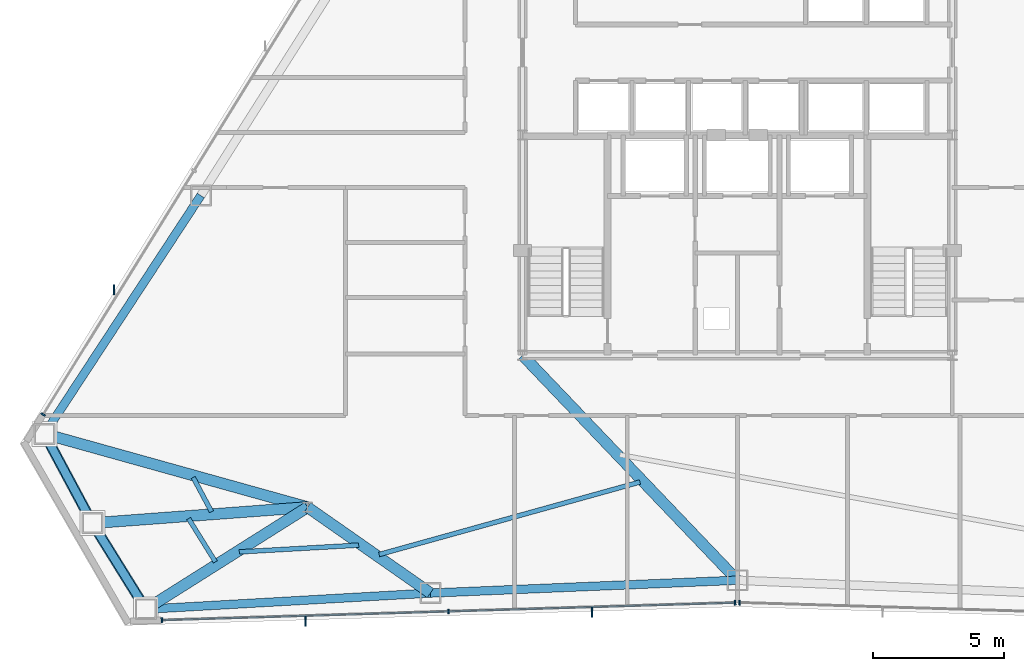
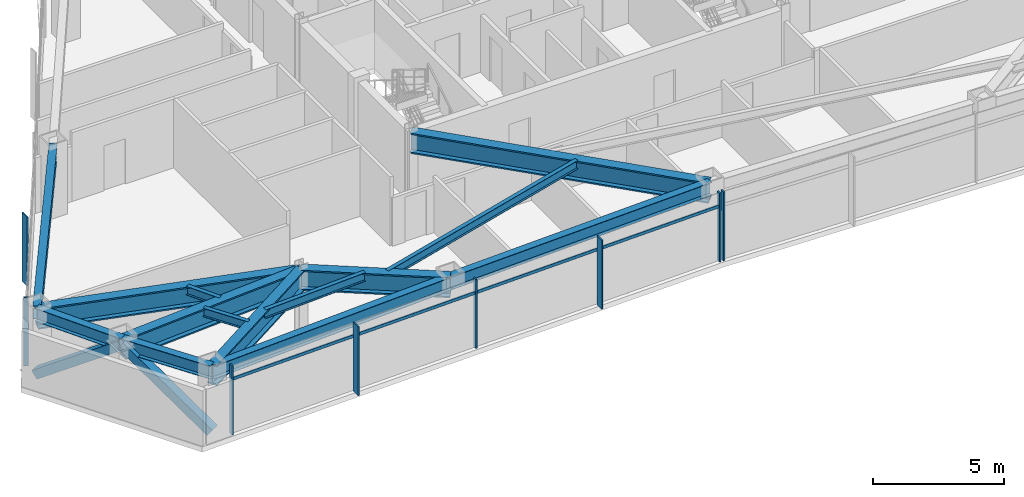
# One storey, part 3 of 13: 14 beams, 11 members, 3 elements without a shape of their own.
"""IFC4 building model written with IfcOpenShell, lengths in metres."""

from ifc_helpers import new_model, si_unit, direction, frame, origin, origin_2d, place, context, subcontext, project, spatial, rectangle, hollow_rectangle, i_section, extrude, source, transform, mapped, material, layer, layer_set, material_profile, profile_set, type_object, type_shapes, element, aggregate, save


model = new_model("IFC4")

# Units and contexts
model_context = context("Model", 3, precision=1e-05, world=origin(), true_north=direction((0.0, 1.0)))
body_context = subcontext(model_context, "Body", "Model", "MODEL_VIEW")
ifc_project = project(units=[si_unit("LENGTHUNIT", "METRE"), si_unit("AREAUNIT", "SQUARE_METRE"), si_unit("VOLUMEUNIT", "CUBIC_METRE"), si_unit("PLANEANGLEUNIT", "RADIAN"), si_unit("MASSUNIT", "GRAM", prefix="KILO")], contexts=[model_context])

# Site, building, storey
site_placement = place(None, origin())
site = spatial("IfcSite", under=ifc_project, at=site_placement, CompositionType="ELEMENT")
building_placement = place(site_placement, origin())
building = spatial("IfcBuilding", under=site, at=building_placement, Name="Varakhsha Concourse Tower", CompositionType="ELEMENT")
storey_placement = place(building_placement, frame((0.0, 0.0, 162.0)))
storey = spatial("IfcBuildingStorey", under=building, at=storey_placement, Name="L46", CompositionType="ELEMENT", Elevation=162.0)

# Beams
ifc_material_1 = material(Name="Structural Steel ASTM A992 Grade 50", Category="steel")
ifc_material_profile_1 = material_profile(ifc_material_1, i_section(OverallWidth=0.177978515625, OverallDepth=0.406982421875, WebThickness=0.008056640625, FlangeThickness=0.012939453125, at=origin_2d()), Name="W16X40")
ifc_profile_set_1 = profile_set([ifc_material_profile_1], Name="Structural Steel ASTM A992 Grade 50")
beam_type_1 = type_object("IfcBeamType", Name="BM-JST-W16X40", PredefinedType="JOIST", material=ifc_profile_set_1)
beam_1_placement = place(storey_placement, frame((19.23583984375, 11.73388671875, 3.006591796875), z_axis=(0.472427315469, -0.881369633921, 0.0), x_axis=(0.881369633921, 0.472427315469, 0.0)))
element("IfcBeam", 1, at=beam_1_placement, inside=storey, type_object=beam_type_1, Name="BM-TJST-L46-07", PredefinedType="JOIST", context=body_context, shape_type="SweptSolid", body=[
    extrude(i_section(OverallWidth=0.177978515625, OverallDepth=0.406982421875, WebThickness=0.008056640625, FlangeThickness=0.012939453125, at=origin_2d()), origin(), (0.0, 0.0, 1.0), 1.48046875),
])
beam_2_placement = place(storey_placement, frame((19.059814453125, 10.165283203125, 3.006591796875), z_axis=(0.527253458324, -0.849708062034, 0.0), x_axis=(0.849708062034, 0.527253458324, 0.0)))
element("IfcBeam", 2, at=beam_2_placement, inside=storey, type_object=beam_type_1, Name="BM-TJST-L46-08", PredefinedType="JOIST", context=body_context, shape_type="SweptSolid", body=[
    extrude(i_section(OverallWidth=0.177978515625, OverallDepth=0.406982421875, WebThickness=0.008056640625, FlangeThickness=0.012939453125, at=origin_2d()), origin(), (0.0, 0.0, 1.0), 1.9443359375),
])
beam_3_placement = place(storey_placement, frame((20.99365234375, 8.89306640625, 3.006591796875), z_axis=(0.998392496676, 0.056678237279, 0.0), x_axis=(-0.056678237279, 0.998392496676, 0.0)))
element("IfcBeam", 3, at=beam_3_placement, inside=storey, type_object=beam_type_1, Name="BM-TJST-L46-09", PredefinedType="JOIST", context=body_context, shape_type="SweptSolid", body=[
    extrude(i_section(OverallWidth=0.177978515625, OverallDepth=0.406982421875, WebThickness=0.008056640625, FlangeThickness=0.012939453125, at=origin_2d()), origin(), (0.0, 0.0, 1.0), 4.56591796875),
])
beam_4_placement = place(storey_placement, frame((26.330322265625, 8.794189453125, 3.006591796875), z_axis=(0.96347660105, 0.267792530195, 0.0), x_axis=(-0.267792530195, 0.96347660105, 0.0)))
element("IfcBeam", 4, at=beam_4_placement, inside=storey, type_object=beam_type_1, Name="BM-TJST-L46-10", PredefinedType="JOIST", context=body_context, shape_type="SweptSolid", body=[
    extrude(i_section(OverallWidth=0.177978515625, OverallDepth=0.406982421875, WebThickness=0.008056640625, FlangeThickness=0.012939453125, at=origin_2d()), origin(), (0.0, 0.0, 1.0), 10.3330078125),
])
ifc_material_profile_2 = material_profile(ifc_material_1, i_section(OverallWidth=0.423095703125, OverallDepth=0.947998046875, WebThickness=0.0380859375, FlangeThickness=0.06396484375, at=origin_2d()), Name="W36X302")
ifc_profile_set_2 = profile_set([ifc_material_profile_2], Name="Structural Steel ASTM A992 Grade 50")
beam_type_2 = type_object("IfcBeamType", Name="BM-OUTR-W36X302", PredefinedType="USERDEFINED", material=ifc_profile_set_2)
beam_5_placement = place(storey_placement, frame((23.60009765625, 10.60009765625, 2.736083984375), z_axis=(-0.963276818964, 0.268510279221, 0.0), x_axis=(-0.268510279221, -0.963276818964, 0.0)))
element("IfcBeam", 5, at=beam_5_placement, inside=storey, type_object=beam_type_2, Name="L46 Radial Floor Girder 07", ObjectType="GIRDER", PredefinedType="USERDEFINED", context=body_context, shape_type="SweptSolid", body=[
    extrude(i_section(OverallWidth=0.423095703125, OverallDepth=0.947998046875, WebThickness=0.0380859375, FlangeThickness=0.06396484375, at=origin_2d()), origin(), (0.0, 0.0, 1.0), 10.4189453125),
])
beam_6_placement = place(storey_placement, frame((23.60009765625, 10.60009765625, 2.736083984375), z_axis=(-0.99725755111, -0.074009301804, 0.0), x_axis=(0.074009301804, -0.99725755111, 0.0)))
element("IfcBeam", 6, at=beam_6_placement, inside=storey, type_object=beam_type_2, Name="L46 Radial Floor Girder 08", ObjectType="GIRDER", PredefinedType="USERDEFINED", context=body_context, shape_type="SweptSolid", body=[
    extrude(i_section(OverallWidth=0.423095703125, OverallDepth=0.947998046875, WebThickness=0.0380859375, FlangeThickness=0.06396484375, at=origin_2d()), origin(), (0.0, 0.0, 1.0), 8.233642578125),
])
beam_7_placement = place(storey_placement, frame((23.60009765625, 10.60009765625, 2.736083984375), z_axis=(-0.845822577747, -0.533464307123, 0.0), x_axis=(0.533464307123, -0.845822577747, 0.0)))
element("IfcBeam", 7, at=beam_7_placement, inside=storey, type_object=beam_type_2, Name="L46 Radial Floor Girder 09", ObjectType="GIRDER", PredefinedType="USERDEFINED", context=body_context, shape_type="SweptSolid", body=[
    extrude(i_section(OverallWidth=0.423095703125, OverallDepth=0.947998046875, WebThickness=0.0380859375, FlangeThickness=0.06396484375, at=origin_2d()), origin(), (0.0, 0.0, 1.0), 7.298583984375),
])
beam_8_placement = place(storey_placement, frame((23.60009765625, 10.60009765625, 2.736083984375), z_axis=(0.81951662418, -0.573055409792, 0.0), x_axis=(0.573055409792, 0.81951662418, 0.0)))
element("IfcBeam", 8, at=beam_8_placement, inside=storey, type_object=beam_type_2, Name="L46 Radial Floor Girder 10", ObjectType="GIRDER", PredefinedType="USERDEFINED", context=body_context, shape_type="SweptSolid", body=[
    extrude(i_section(OverallWidth=0.423095703125, OverallDepth=0.947998046875, WebThickness=0.0380859375, FlangeThickness=0.06396484375, at=origin_2d()), origin(), (0.0, 0.0, 1.0), 5.71875),
])
beam_9_placement = place(storey_placement, frame((31.800048828125, 16.39990234375, 2.736083984375), z_axis=(0.690592614806, -0.723243970161, 0.0), x_axis=(0.723243970161, 0.690592614806, 0.0)))
element("IfcBeam", 9, at=beam_9_placement, inside=storey, type_object=beam_type_2, Name="L46 Radial Floor Girder 11", ObjectType="GIRDER", PredefinedType="USERDEFINED", context=body_context, shape_type="SweptSolid", body=[
    extrude(i_section(OverallWidth=0.423095703125, OverallDepth=0.947998046875, WebThickness=0.0380859375, FlangeThickness=0.06396484375, at=origin_2d()), origin(), (0.0, 0.0, 1.0), 11.873779296875),
])
ifc_material_profile_3 = material_profile(ifc_material_1, i_section(OverallWidth=0.323974609375, OverallDepth=0.611083984375, WebThickness=0.012939453125, FlangeThickness=0.01904296875, at=origin_2d()), Name="W24X104")
ifc_profile_set_3 = profile_set([ifc_material_profile_3], Name="Structural Steel ASTM A992 Grade 50")
beam_type_3 = type_object("IfcBeamType", Name="BM-SPAN-W24X104", PredefinedType="SPANDREL", material=ifc_profile_set_3)
beam_10_placement = place(storey_placement, frame((19.52734375, 22.494384765625, 2.904541015625), z_axis=(-0.548266128306, -0.836303923555, 0.0), x_axis=(0.836303923555, -0.548266128306, 0.0)))
element("IfcBeam", 10, at=beam_10_placement, inside=storey, type_object=beam_type_3, Name="BM-SPAN-L46-06", PredefinedType="SPANDREL", context=body_context, shape_type="SweptSolid", body=[
    extrude(i_section(OverallWidth=0.323974609375, OverallDepth=0.611083984375, WebThickness=0.012939453125, FlangeThickness=0.01904296875, at=origin_2d()), origin(), (0.0, 0.0, 1.0), 10.877197265625),
])
for number, where, z_axis, x_axis, name in (
    (11, (13.563720703125, 13.397705078125, 2.904541015625), (0.472226671097, -0.881477152911, 0.0), (0.881477152911, 0.472226671097, 0.0), "BM-SPAN-L46-07"),
    (12, (15.388916015625, 9.99072265625, 2.904541015625), (0.52724807345, -0.849711403385, 0.0), (0.849711403385, 0.52724807345, 0.0), "BM-SPAN-L46-08"),
):
    element("IfcBeam", number, at=place(storey_placement, frame(where, z_axis=z_axis, x_axis=x_axis)), inside=storey, type_object=beam_type_3, Name=name, PredefinedType="SPANDREL", context=body_context, shape_type="SweptSolid", body=[
        extrude(i_section(OverallWidth=0.323974609375, OverallDepth=0.611083984375, WebThickness=0.012939453125, FlangeThickness=0.01904296875, at=origin_2d()), origin(), (0.0, 0.0, 1.0), 3.864990234375),
    ])
beam_11_placement = place(storey_placement, frame((17.4267578125, 6.70654296875, 2.904541015625), z_axis=(0.998392776911, 0.056673300699, 0.0), x_axis=(-0.056673300699, 0.998392776911, 0.0)))
element("IfcBeam", 13, at=beam_11_placement, inside=storey, type_object=beam_type_3, Name="BM-SPAN-L46-09", PredefinedType="SPANDREL", context=body_context, shape_type="SweptSolid", body=[
    extrude(i_section(OverallWidth=0.323974609375, OverallDepth=0.611083984375, WebThickness=0.012939453125, FlangeThickness=0.01904296875, at=origin_2d()), origin(), (0.0, 0.0, 1.0), 10.87744140625),
])
beam_12_placement = place(storey_placement, frame((28.28662109375, 7.322998046875, 2.904541015625), z_axis=(0.999128809081, 0.041732755292, 0.0), x_axis=(-0.041732755292, 0.999128809081, 0.0)))
element("IfcBeam", 14, at=beam_12_placement, inside=storey, type_object=beam_type_3, Name="BM-SPAN-L46-10", PredefinedType="SPANDREL", context=body_context, shape_type="SweptSolid", body=[
    extrude(i_section(OverallWidth=0.323974609375, OverallDepth=0.611083984375, WebThickness=0.012939453125, FlangeThickness=0.01904296875, at=origin_2d()), origin(), (0.0, 0.0, 1.0), 11.7236328125),
])

# Members
ifc_material_2 = material(Name="Structural Steel ASTM A500 Grade C", Category="steel")
ifc_material_profile_4 = material_profile(ifc_material_2, hollow_rectangle(XDim=0.39990234375, YDim=0.39990234375, WallThickness=0.01611328125, at=origin_2d()), Name="HSS 400x400x16")
ifc_profile_set_4 = profile_set([ifc_material_profile_4], Name="Structural Steel ASTM A500 Grade C")
member_type_1 = type_object("IfcMemberType", Name="MB-TUBE-HSS400", PredefinedType="BRACE", material=ifc_profile_set_4)
shared_shape_1 = source(origin(), body_context, "Body", "SweptSolid", [
    extrude(hollow_rectangle(XDim=0.39990234375, YDim=0.39990234375, WallThickness=0.01611328125, at=origin_2d()), origin(), (0.0, 0.0, 1.0), 4.7666015625),
])
member_1_placement = place(storey_placement, frame((17.4267578125, 6.70654296875, 0.1201171875), z_axis=(-0.427514742293, 0.688981467992, 0.585265479835), x_axis=(-0.849711403385, -0.52724807345, 0.0)))
element("IfcMember", 15, at=member_1_placement, inside=storey, type_object=member_type_1, Name="L46 Wind-Corner Tube Brace B04", PredefinedType="BRACE", context=body_context, shape_type="MappedRepresentation", body=[
    mapped(shared_shape_1, transform((0.0, 0.0, 0.0), scale=1.0)),
])
shared_shape_2 = source(origin(), body_context, "Body", "SweptSolid", [
    extrude(hollow_rectangle(XDim=0.39990234375, YDim=0.39990234375, WallThickness=0.01611328125, at=origin_2d()), origin(), (0.0, 0.0, 1.0), 4.766845703125),
])
type_shapes(member_type_1, [shared_shape_1, shared_shape_2])
member_2_placement = place(storey_placement, frame((13.563720703125, 13.397705078125, 0.1201171875), z_axis=(0.382902110293, -0.714740362379, 0.585262495228), x_axis=(0.881477152911, 0.472226671097, 0.0)))
element("IfcMember", 16, at=member_2_placement, inside=storey, type_object=member_type_1, Name="L46 Wind-Corner Tube Brace B03", PredefinedType="BRACE", context=body_context, shape_type="MappedRepresentation", body=[
    mapped(shared_shape_2, transform((0.0, 0.0, 0.0), scale=1.0)),
])

# Curtain wall, member
ifc_material_3 = material(Name="Anodised Bronze Architectural Aluminium AA 6063-T6", Category="aluminium")
ifc_layer = layer(ifc_material_3, 0.2099609375, Name="CW-SYS-04")
ifc_layer_set = layer_set([ifc_layer], Name="Anodised Bronze Architectural Aluminium AA 6063-T6")
curtain_wall_type = type_object("IfcCurtainWallType", Name="CW-SYS-04", PredefinedType="NOTDEFINED", material=ifc_layer_set)
curtain_wall_1_placement = place(storey_placement, origin())
curtain_wall_1 = element("IfcCurtainWall", 17, at=curtain_wall_1_placement, inside=storey, type_object=curtain_wall_type, Name="L46 Crystal Curtain Wall F3", PredefinedType="NOTDEFINED")
ifc_material_profile_5 = material_profile(ifc_material_3, rectangle(XDim=0.06005859375, YDim=0.3798828125, at=origin_2d()), Name="FIN-BRZ-380")
ifc_profile_set_5 = profile_set([ifc_material_profile_5], Name="Anodised Bronze Architectural Aluminium AA 6063-T6")
member_type_2 = type_object("IfcMemberType", Name="FIN-BRZ-380", PredefinedType="USERDEFINED", material=ifc_profile_set_5)
shared_shape_3 = source(origin(), body_context, "Body", "SweptSolid", [
    extrude(rectangle(XDim=0.06005859375, YDim=0.3798828125, at=origin_2d()), origin(), (0.0, 0.0, 1.0), 3.2099609375),
])
type_shapes(member_type_2, [shared_shape_3])
member_3_placement = place(storey_placement, frame((16.214599609375, 18.8984375, 0.0), z_axis=(0.0, 0.0, 1.0), x_axis=(1.0, 0.0, 0.0)))
member_3 = element("IfcMember", 18, at=member_3_placement, type_object=member_type_2, Name="L46 Anodised Bronze Solar Fin F3-1", ObjectType="SOLAR FIN", PredefinedType="USERDEFINED", context=body_context, shape_type="MappedRepresentation", body=[
    mapped(shared_shape_3, transform((0.0, 0.0, 0.0), scale=1.0)),
])

# Curtain wall, members
curtain_wall_2_placement = place(storey_placement, origin())
curtain_wall_2 = element("IfcCurtainWall", 19, at=curtain_wall_2_placement, inside=storey, type_object=curtain_wall_type, Name="L46 Crystal Curtain Wall F5", PredefinedType="NOTDEFINED")
member_4_placement = place(storey_placement, frame((34.452880859375, 6.5859375, 0.0), z_axis=(0.0, 0.0, 1.0), x_axis=(1.0, 0.0, 0.0)))
member_4 = element("IfcMember", 20, at=member_4_placement, type_object=member_type_2, Name="L46 Anodised Bronze Solar Fin F5-1", ObjectType="SOLAR FIN", PredefinedType="USERDEFINED", context=body_context, shape_type="MappedRepresentation", body=[
    mapped(shared_shape_3, transform((0.0, 0.0, 0.0), scale=1.0)),
])
member_5_placement = place(storey_placement, frame((23.51611328125, 6.251953125, 0.0), z_axis=(0.0, 0.0, 1.0), x_axis=(1.0, 0.0, 0.0)))
member_5 = element("IfcMember", 21, at=member_5_placement, type_object=member_type_2, Name="L46 Anodised Bronze Solar Fin F5-2", ObjectType="SOLAR FIN", PredefinedType="USERDEFINED", context=body_context, shape_type="MappedRepresentation", body=[
    mapped(shared_shape_3, transform((0.0, 0.0, 0.0), scale=1.0)),
])

# Member
ifc_material_profile_6 = material_profile(ifc_material_3, rectangle(XDim=0.06494140625, YDim=0.179931640625, at=origin_2d()), Name="CWM-180X65")
ifc_profile_set_6 = profile_set([ifc_material_profile_6], Name="Anodised Bronze Architectural Aluminium AA 6063-T6")
member_type_3 = type_object("IfcMemberType", Name="CWM-180X65", PredefinedType="MULLION", material=ifc_profile_set_6)
shared_shape_4 = source(origin(), body_context, "Body", "SweptSolid", [
    extrude(rectangle(XDim=0.06494140625, YDim=0.179931640625, at=origin_2d()), origin(), (0.0, 0.0, 1.0), 3.2099609375),
])
type_shapes(member_type_3, [shared_shape_4])
member_6_placement = place(storey_placement, frame((13.510009765625, 14.13818359375, 0.0), z_axis=(0.0, 0.0, 1.0), x_axis=(0.526199082126, 0.850361409032, 0.0)))
member_6 = element("IfcMember", 22, at=member_6_placement, type_object=member_type_3, Name="CW-L46-F3 Mullion 00", PredefinedType="MULLION", context=body_context, shape_type="MappedRepresentation", body=[
    mapped(shared_shape_4, transform((0.0, 0.0, 0.0), scale=1.0)),
])

aggregate(curtain_wall_1, [member_6, member_3])

member_7_placement = place(storey_placement, frame((39.915283203125, 6.957763671875, 0.0), z_axis=(0.0, 0.0, 1.0), x_axis=(-0.999534017137, -0.030524557085, 0.0)))
member_7 = element("IfcMember", 23, at=member_7_placement, type_object=member_type_3, Name="CW-L46-F5 Mullion 00", PredefinedType="MULLION", context=body_context, shape_type="MappedRepresentation", body=[
    mapped(shared_shape_4, transform((0.0, 0.0, 0.0), scale=1.0)),
])

member_8_placement = place(storey_placement, frame((28.978271484375, 6.623779296875, 0.0), z_axis=(0.0, 0.0, 1.0), x_axis=(-0.999534017137, -0.030524557085, 0.0)))
member_8 = element("IfcMember", 24, at=member_8_placement, type_object=member_type_3, Name="CW-L46-F5 Mullion 01", PredefinedType="MULLION", context=body_context, shape_type="MappedRepresentation", body=[
    mapped(shared_shape_4, transform((0.0, 0.0, 0.0), scale=1.0)),
])

member_9_placement = place(storey_placement, frame((18.041259765625, 6.289794921875, 0.0), z_axis=(0.0, 0.0, 1.0), x_axis=(-0.999534017137, -0.030524557085, 0.0)))
member_9 = element("IfcMember", 25, at=member_9_placement, type_object=member_type_3, Name="CW-L46-F5 Mullion 02", PredefinedType="MULLION", context=body_context, shape_type="MappedRepresentation", body=[
    mapped(shared_shape_4, transform((0.0, 0.0, 0.0), scale=1.0)),
])

# Curtain wall, member
curtain_wall_3_placement = place(storey_placement, origin())
curtain_wall_3 = element("IfcCurtainWall", 26, at=curtain_wall_3_placement, inside=storey, type_object=curtain_wall_type, Name="L46 Crystal Curtain Wall F6", PredefinedType="NOTDEFINED")
member_10_placement = place(storey_placement, frame((40.084716796875, 6.957763671875, 0.0), z_axis=(0.0, 0.0, 1.0), x_axis=(-0.999534017137, 0.030524557085, 0.0)))
member_10 = element("IfcMember", 27, at=member_10_placement, type_object=member_type_3, Name="CW-L46-F6 Mullion 02", PredefinedType="MULLION", context=body_context, shape_type="MappedRepresentation", body=[
    mapped(shared_shape_4, transform((0.0, 0.0, 0.0), scale=1.0)),
])
aggregate(curtain_wall_3, [member_10])

# Member
ifc_material_profile_7 = material_profile(ifc_material_3, rectangle(XDim=0.06005859375, YDim=0.139892578125, at=origin_2d()), Name="CWT-140X60")
ifc_profile_set_7 = profile_set([ifc_material_profile_7], Name="Anodised Bronze Architectural Aluminium AA 6063-T6")
member_type_4 = type_object("IfcMemberType", Name="CWT-140X60", PredefinedType="USERDEFINED", material=ifc_profile_set_7)
shared_shape_5 = source(origin(), body_context, "Body", "SweptSolid", [
    extrude(rectangle(XDim=0.06005859375, YDim=0.139892578125, at=origin_2d()), origin(), (0.0, 0.0, 1.0), 21.88427734375),
])
type_shapes(member_type_4, [shared_shape_5])
member_11_placement = place(storey_placement, frame((39.915283203125, 6.957763671875, 2.56005859375), z_axis=(-0.999534069287, -0.030522849386, 0.0), x_axis=(0.030522849386, -0.999534069287, 0.0)))
member_11 = element("IfcMember", 28, at=member_11_placement, type_object=member_type_4, Name="CW-L46-F5 Transom 01", ObjectType="TRANSOM", PredefinedType="USERDEFINED", context=body_context, shape_type="MappedRepresentation", body=[
    mapped(shared_shape_5, transform((0.0, 0.0, 0.0), scale=1.0)),
])

aggregate(curtain_wall_2, [member_7, member_8, member_9, member_11, member_4, member_5])

save(model, "model.ifc")
